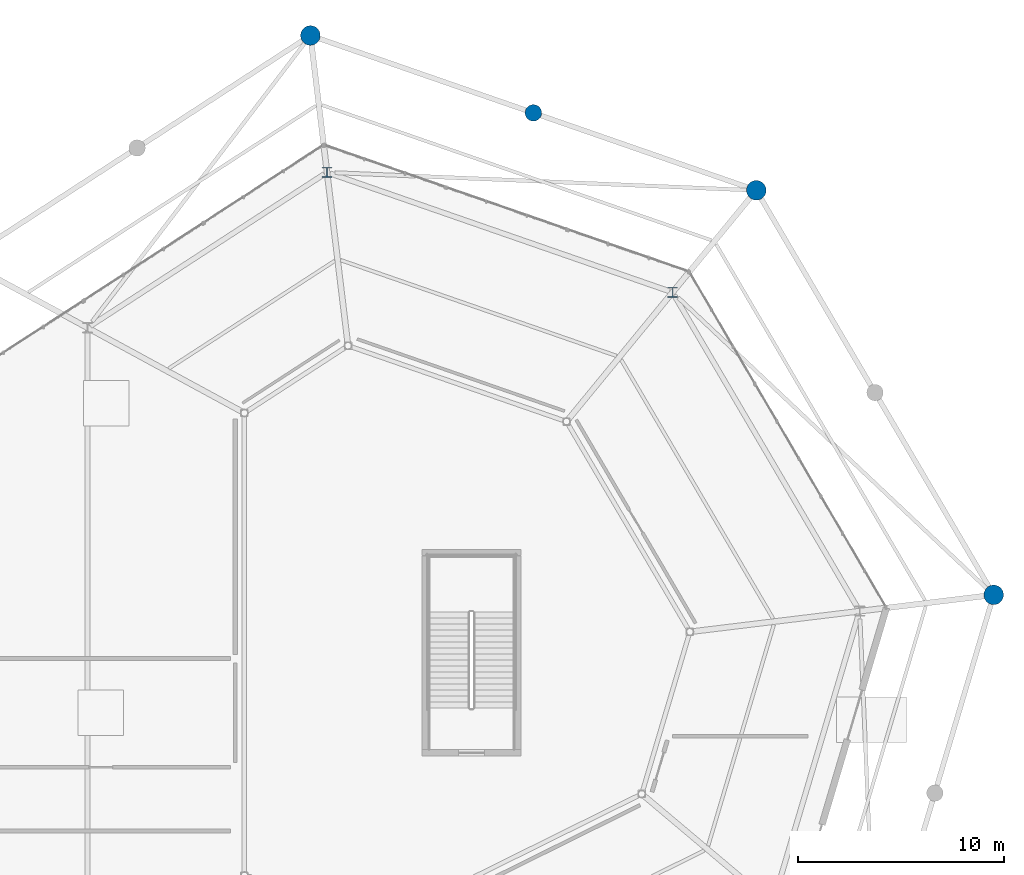
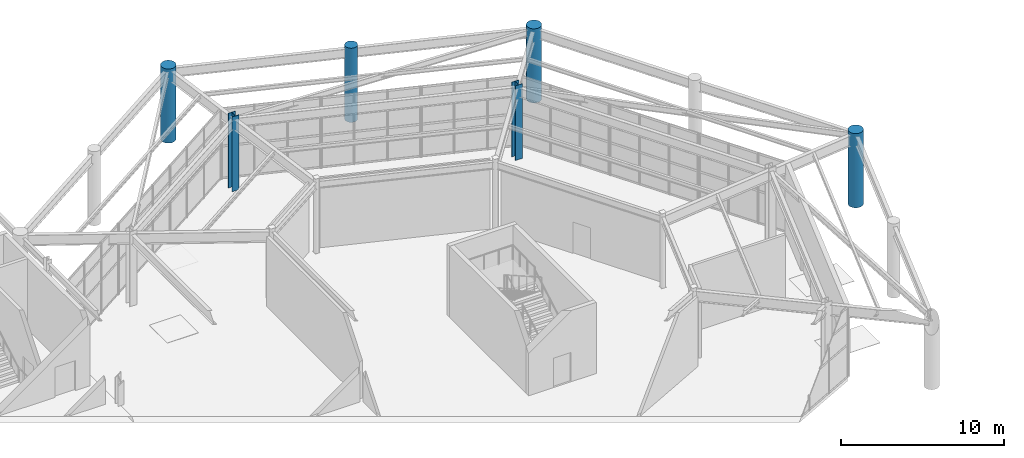
# One storey, part 17 of 70: 6 columns.
"""IFC4 building model written with IfcOpenShell, lengths in metres."""

from ifc_helpers import new_model, si_unit, direction, frame, origin, origin_2d, place, context, subcontext, project, spatial, circle, i_section, extrude, material, material_profile, profile_set, type_object, element, save


model = new_model("IFC4")

# Units and contexts
model_context = context("Model", 3, precision=1e-05, world=origin(), true_north=direction((0.0, 1.0)))
body_context = subcontext(model_context, "Body", "Model", "MODEL_VIEW")
ifc_project = project(units=[si_unit("LENGTHUNIT", "METRE"), si_unit("AREAUNIT", "SQUARE_METRE"), si_unit("VOLUMEUNIT", "CUBIC_METRE"), si_unit("PLANEANGLEUNIT", "RADIAN"), si_unit("MASSUNIT", "GRAM", prefix="KILO")], contexts=[model_context])

# Site, building, storey
site_placement = place(None, origin())
site = spatial("IfcSite", under=ifc_project, at=site_placement, CompositionType="ELEMENT")
building_placement = place(site_placement, origin())
building = spatial("IfcBuilding", under=site, at=building_placement, Name="Sarnbrook Museum", CompositionType="ELEMENT")
storey_placement = place(building_placement, origin())
storey = spatial("IfcBuildingStorey", under=building, at=storey_placement, Name="L00", CompositionType="ELEMENT", Elevation=0.0)

# Columns
ifc_material_1 = material(Name="Concrete N50 (AS 3600, f'c = 50 MPa)", Category="concrete")
ifc_material_profile_1 = material_profile(ifc_material_1, circle(Radius=0.39990234375, at=origin_2d()), Name="DORIC D800")
ifc_profile_set_1 = profile_set([ifc_material_profile_1], Name="Concrete N50 (AS 3600, f'c = 50 MPa)")
column_type_1 = type_object("IfcColumnType", Name="COL-DORIC800", PredefinedType="COLUMN", material=ifc_profile_set_1)
column_placement = place(storey_placement, frame((146.800048828125, 111.35009765625, 0.0), z_axis=(0.0, 0.0, 1.0), x_axis=(1.0, 0.0, 0.0)))
element("IfcColumn", 1, at=column_placement, inside=storey, type_object=column_type_1, Name="Doric Colonnade Column M5 L00", PredefinedType="COLUMN", context=body_context, shape_type="SweptSolid", body=[
    extrude(circle(Radius=0.39990234375, at=origin_2d()), origin(), (0.0, 0.0, 1.0), 5.56005859375),
])
ifc_material_profile_2 = material_profile(ifc_material_1, circle(Radius=0.47509765625, at=origin_2d()), Name="DORIC D950")
ifc_profile_set_2 = profile_set([ifc_material_profile_2], Name="Concrete N50 (AS 3600, f'c = 50 MPa)")
column_type_2 = type_object("IfcColumnType", Name="COL-DORIC950", PredefinedType="COLUMN", material=ifc_profile_set_2)
for number, where, z_axis, x_axis, name in (
    (2, (169.10009765625, 88.0, 0.0), (0.0, 0.0, 1.0), (1.0, 0.0, 0.0), "Doric Colonnade Corner Column V4 L00"),
    (3, (157.60009765625, 107.60009765625, 0.0), (0.0, 0.0, 1.0), (1.0, 0.0, 0.0), "Doric Colonnade Corner Column V5 L00"),
    (4, (136.0, 115.10009765625, 0.0), (0.0, 0.0, 1.0), (1.0, 0.0, 0.0), "Doric Colonnade Corner Column V6 L00"),
):
    element("IfcColumn", number, at=place(storey_placement, frame(where, z_axis=z_axis, x_axis=x_axis)), inside=storey, type_object=column_type_2, Name=name, PredefinedType="COLUMN", context=body_context, shape_type="SweptSolid", body=[
        extrude(circle(Radius=0.47509765625, at=origin_2d()), origin(), (0.0, 0.0, 1.0), 5.56005859375),
    ])
ifc_material_2 = material(Name="Structural Steel Grade 350L0 (AS/NZS 3678, fy = 340 MPa for 20 < t <= 40 mm)", Category="steel")
ifc_material_profile_3 = material_profile(ifc_material_2, i_section(OverallWidth=0.5, OverallDepth=0.489990234375, WebThickness=0.028076171875, FlangeThickness=0.0400390625, at=origin_2d()), Name="500WC340")
ifc_profile_set_3 = profile_set([ifc_material_profile_3], Name="Structural Steel Grade 350L0 (AS/NZS 3678, fy = 340 MPa for 20 < t <= 40 mm)")
column_type_3 = type_object("IfcColumnType", Name="COL-WC500", PredefinedType="COLUMN", material=ifc_profile_set_3)
for number, where, z_axis, x_axis, name in (
    (5, (153.543701171875, 102.656982421875, 0.0), (0.0, 0.0, 1.0), (1.0, 0.0, 0.0), "Crystal Hall Ring Column R1-5 L00"),
    (6, (136.803955078125, 108.469482421875, 0.0), (0.0, 0.0, 1.0), (1.0, 0.0, 0.0), "Crystal Hall Ring Column R1-6 L00"),
):
    element("IfcColumn", number, at=place(storey_placement, frame(where, z_axis=z_axis, x_axis=x_axis)), inside=storey, type_object=column_type_3, Name=name, PredefinedType="COLUMN", context=body_context, shape_type="SweptSolid", body=[
        extrude(i_section(OverallWidth=0.5, OverallDepth=0.489990234375, WebThickness=0.028076171875, FlangeThickness=0.0400390625, at=origin_2d()), origin(), (0.0, 0.0, 1.0), 5.60009765625),
    ])

save(model, "model.ifc")
